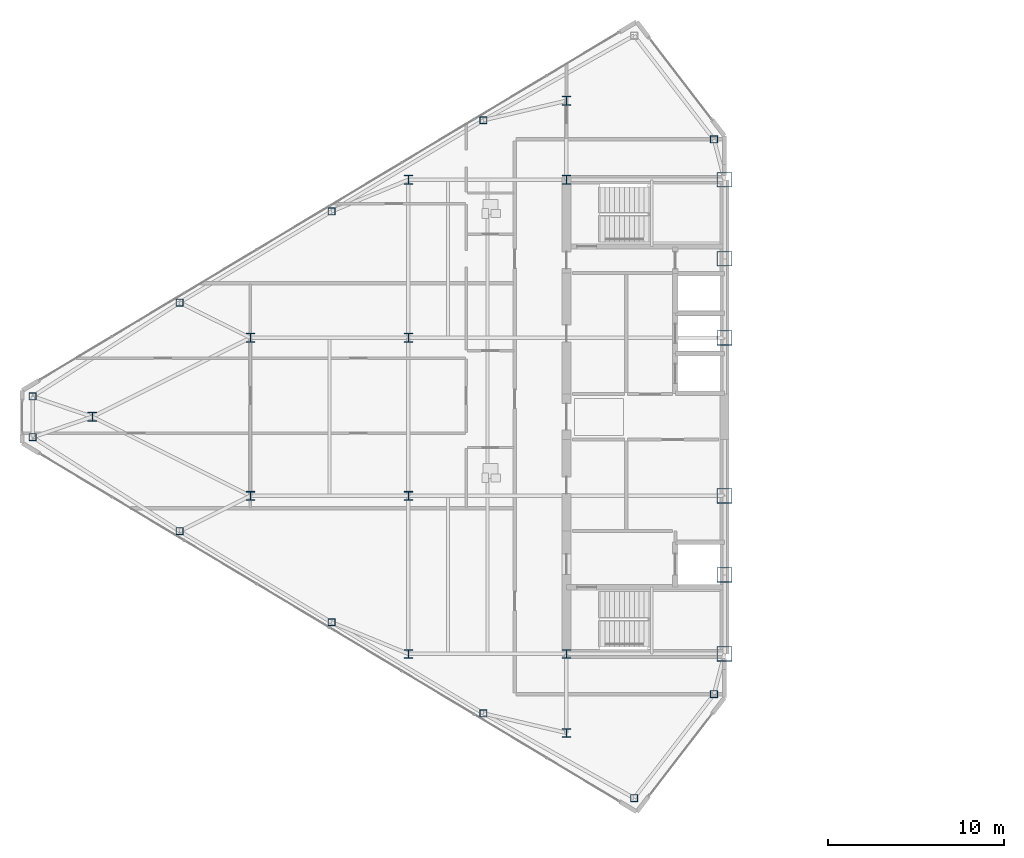
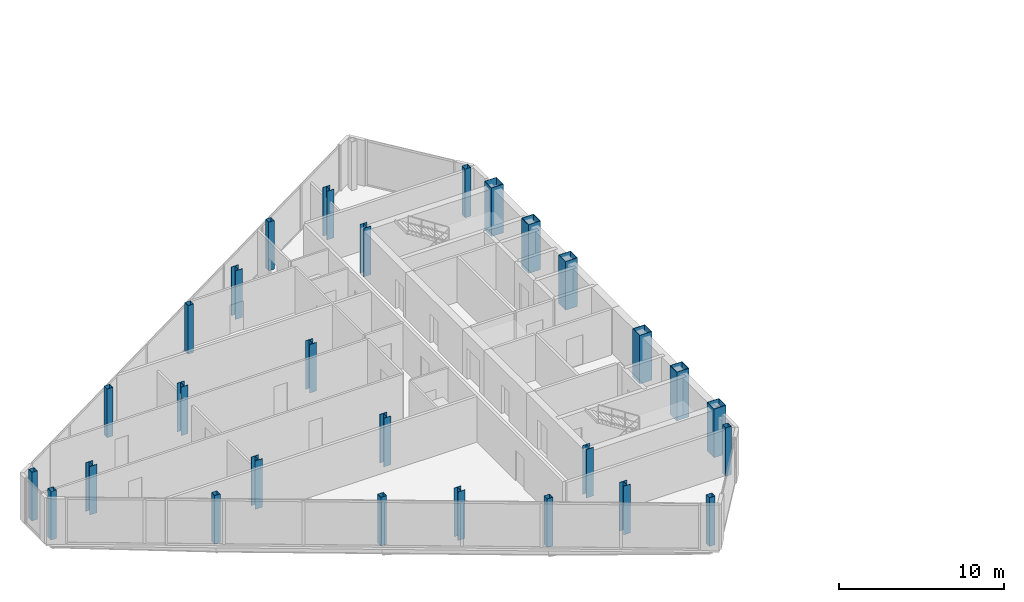
# One storey, part 1 of 25: 28 columns.
"""IFC4 building model written with IfcOpenShell, lengths in metres."""

from ifc_helpers import new_model, si_unit, direction, frame, origin, origin_2d, place, context, subcontext, project, spatial, hollow_rectangle, i_section, extrude, source, transform, mapped, material, material_profile, profile_set, type_object, type_shapes, element, save


model = new_model("IFC4")

# Units and contexts
model_context = context("Model", 3, precision=1e-05, world=origin(), true_north=direction((0.0, 1.0)))
body_context = subcontext(model_context, "Body", "Model", "MODEL_VIEW")
ifc_project = project(units=[si_unit("LENGTHUNIT", "METRE"), si_unit("AREAUNIT", "SQUARE_METRE"), si_unit("VOLUMEUNIT", "CUBIC_METRE"), si_unit("PLANEANGLEUNIT", "RADIAN"), si_unit("MASSUNIT", "GRAM", prefix="KILO")], contexts=[model_context])

# Site, building, storey
site_placement = place(None, origin())
site = spatial("IfcSite", under=ifc_project, at=site_placement, CompositionType="ELEMENT")
building_placement = place(site_placement, origin())
building = spatial("IfcBuilding", under=site, at=building_placement, Name="Seokmaru Belvedere", CompositionType="ELEMENT")
storey_placement = place(building_placement, frame((0.0, 0.0, 213.89990234375)))
storey = spatial("IfcBuildingStorey", under=building, at=storey_placement, Name="L57", CompositionType="ELEMENT", Elevation=213.89990234375)

# Columns
ifc_material_1 = material(Name="Steel HSA650 (650 MPa)", Category="steel")
ifc_material_profile_1 = material_profile(ifc_material_1, hollow_rectangle(XDim=0.85009765625, YDim=0.85009765625, WallThickness=0.035888671875, at=origin_2d()), Name="BOX-850x850x36")
ifc_profile_set_1 = profile_set([ifc_material_profile_1], Name="Steel HSA650 (650 MPa)")
column_type_1 = type_object("IfcColumnType", Name="Portal Spine Column BOX-850", PredefinedType="COLUMN", material=ifc_profile_set_1)
shared_shape_1 = source(origin(), body_context, "Body", "SweptSolid", [
    extrude(hollow_rectangle(XDim=0.85009765625, YDim=0.85009765625, WallThickness=0.035888671875, at=origin_2d()), origin(), (0.0, 0.0, 1.0), 3.60009765625),
])
type_shapes(column_type_1, [shared_shape_1])
for number, where, z_axis, x_axis, name in (
    (1, (-27.5, -13.5, 0.0), (0.0, 0.0, 1.0), (1.0, 0.0, 0.0), "L57 Column WS1"),
    (2, (-27.5, -9.0, 0.0), (0.0, 0.0, 1.0), (1.0, 0.0, 0.0), "L57 Column WS2"),
    (3, (-27.5, -4.5, 0.0), (0.0, 0.0, 1.0), (1.0, 0.0, 0.0), "L57 Column WS3"),
    (4, (-27.5, 4.5, 0.0), (0.0, 0.0, 1.0), (1.0, 0.0, 0.0), "L57 Column WS4"),
    (5, (-27.5, 9.0, 0.0), (0.0, 0.0, 1.0), (1.0, 0.0, 0.0), "L57 Column WS5"),
    (6, (-27.5, 13.5, 0.0), (0.0, 0.0, 1.0), (1.0, 0.0, 0.0), "L57 Column WS6"),
):
    element("IfcColumn", number, at=place(storey_placement, frame(where, z_axis=z_axis, x_axis=x_axis)), inside=storey, type_object=column_type_1, Name=name, PredefinedType="COLUMN", context=body_context, shape_type="MappedRepresentation", body=[
        mapped(shared_shape_1, transform((0.0, 0.0, 0.0), scale=1.0)),
    ])
ifc_material_2 = material(Name="Steel SM355 (355 MPa)", Category="steel")
ifc_material_profile_2 = material_profile(ifc_material_2, i_section(OverallWidth=0.5, OverallDepth=0.5, WebThickness=0.02001953125, FlangeThickness=0.031982421875, at=origin_2d()), Name="H-500x500x20x32")
ifc_profile_set_2 = profile_set([ifc_material_profile_2], Name="Steel SM355 (355 MPa)")
column_type_2 = type_object("IfcColumnType", Name="High-Rise Interior Column H-500", PredefinedType="COLUMN", material=ifc_profile_set_2)
shared_shape_2 = source(origin(), body_context, "Body", "SweptSolid", [
    extrude(i_section(OverallWidth=0.5, OverallDepth=0.5, WebThickness=0.02001953125, FlangeThickness=0.031982421875, at=origin_2d()), origin(), (0.0, 0.0, 1.0), 3.60009765625),
])
type_shapes(column_type_2, [shared_shape_2])
for number, where, z_axis, x_axis, name in (
    (7, (-36.5, -18.0, 0.0), (0.0, 0.0, 1.0), (1.0, 0.0, 0.0), "L57 Column WC1"),
    (8, (-36.5, -13.5, 0.0), (0.0, 0.0, 1.0), (1.0, 0.0, 0.0), "L57 Column WC2"),
    (9, (-36.5, 13.5, 0.0), (0.0, 0.0, 1.0), (1.0, 0.0, 0.0), "L57 Column WC3"),
    (10, (-36.5, 18.0, 0.0), (0.0, 0.0, 1.0), (1.0, 0.0, 0.0), "L57 Column WC4"),
    (11, (-45.5, -13.5, 0.0), (0.0, 0.0, 1.0), (1.0, 0.0, 0.0), "L57 Column WG5_1"),
    (12, (-45.5, -4.5, 0.0), (0.0, 0.0, 1.0), (1.0, 0.0, 0.0), "L57 Column WG5_2"),
    (13, (-45.5, 4.5, 0.0), (0.0, 0.0, 1.0), (1.0, 0.0, 0.0), "L57 Column WG5_3"),
    (14, (-45.5, 13.5, 0.0), (0.0, 0.0, 1.0), (1.0, 0.0, 0.0), "L57 Column WG5_4"),
    (15, (-54.5, -4.5, 0.0), (0.0, 0.0, 1.0), (1.0, 0.0, 0.0), "L57 Column WG4P_1"),
    (16, (-54.5, 4.5, 0.0), (0.0, 0.0, 1.0), (1.0, 0.0, 0.0), "L57 Column WG4P_2"),
    (17, (-63.5, 0.0, 0.0), (0.0, 0.0, 1.0), (1.0, 0.0, 0.0), "L57 Column WG3P_1"),
):
    element("IfcColumn", number, at=place(storey_placement, frame(where, z_axis=z_axis, x_axis=x_axis)), inside=storey, type_object=column_type_2, Name=name, PredefinedType="COLUMN", context=body_context, shape_type="MappedRepresentation", body=[
        mapped(shared_shape_2, transform((0.0, 0.0, 0.0), scale=1.0)),
    ])
ifc_material_profile_3 = material_profile(ifc_material_2, hollow_rectangle(XDim=0.39990234375, YDim=0.39990234375, WallThickness=0.01611328125, at=origin_2d()), Name="HSS-400x400x16")
ifc_profile_set_3 = profile_set([ifc_material_profile_3], Name="Steel SM355 (355 MPa)")
column_type_3 = type_object("IfcColumnType", Name="Perimeter Facet Column HSS-400", PredefinedType="COLUMN", material=ifc_profile_set_3)
shared_shape_3 = source(origin(), body_context, "Body", "SweptSolid", [
    extrude(hollow_rectangle(XDim=0.39990234375, YDim=0.39990234375, WallThickness=0.01611328125, at=origin_2d()), origin(), (0.0, 0.0, 1.0), 3.60009765625),
])
type_shapes(column_type_3, [shared_shape_3])
for number, where, z_axis, x_axis, name in (
    (18, (-28.10009765625, -15.7958984375, 0.0), (0.0, 0.0, 1.0), (1.0, 0.0, 0.0), "L57 Column WF1"),
    (19, (-28.10009765625, 15.7958984375, 0.0), (0.0, 0.0, 1.0), (1.0, 0.0, 0.0), "L57 Column WF2"),
    (20, (-66.89990234375, 1.160400390625, 0.0), (0.0, 0.0, 1.0), (1.0, 0.0, 0.0), "L57 Column WF4"),
    (21, (-66.89990234375, -1.160400390625, 0.0), (0.0, 0.0, 1.0), (1.0, 0.0, 0.0), "L57 Column WF5"),
    (22, (-32.649658203125, -21.71044921875, 0.0), (0.0, 0.0, 1.0), (1.0, 0.0, 0.0), "L57 Column WF6"),
    (23, (-41.229736328125, -16.888916015625, 0.0), (0.0, 0.0, 1.0), (1.0, 0.0, 0.0), "L57 Column WFLK_S1"),
    (24, (-49.8798828125, -11.698974609375, 0.0), (0.0, 0.0, 1.0), (1.0, 0.0, 0.0), "L57 Column WFLK_S2"),
    (25, (-58.530029296875, -6.5087890625, 0.0), (0.0, 0.0, 1.0), (1.0, 0.0, 0.0), "L57 Column WFLK_S3"),
    (26, (-41.229736328125, 16.888916015625, 0.0), (0.0, 0.0, 1.0), (1.0, 0.0, 0.0), "L57 Column WFLK_N1"),
    (27, (-49.8798828125, 11.698974609375, 0.0), (0.0, 0.0, 1.0), (1.0, 0.0, 0.0), "L57 Column WFLK_N2"),
    (28, (-58.530029296875, 6.5087890625, 0.0), (0.0, 0.0, 1.0), (1.0, 0.0, 0.0), "L57 Column WFLK_N3"),
):
    element("IfcColumn", number, at=place(storey_placement, frame(where, z_axis=z_axis, x_axis=x_axis)), inside=storey, type_object=column_type_3, Name=name, PredefinedType="COLUMN", context=body_context, shape_type="MappedRepresentation", body=[
        mapped(shared_shape_3, transform((0.0, 0.0, 0.0), scale=1.0)),
    ])

save(model, "model.ifc")
